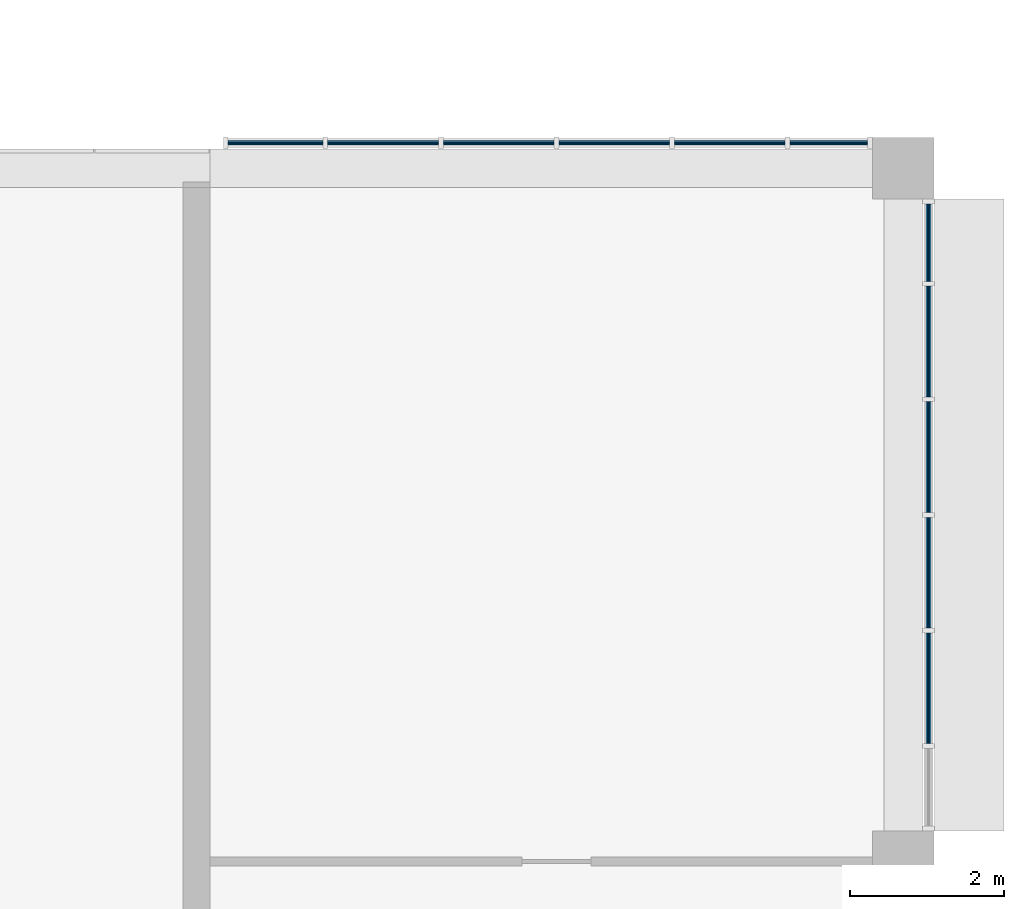
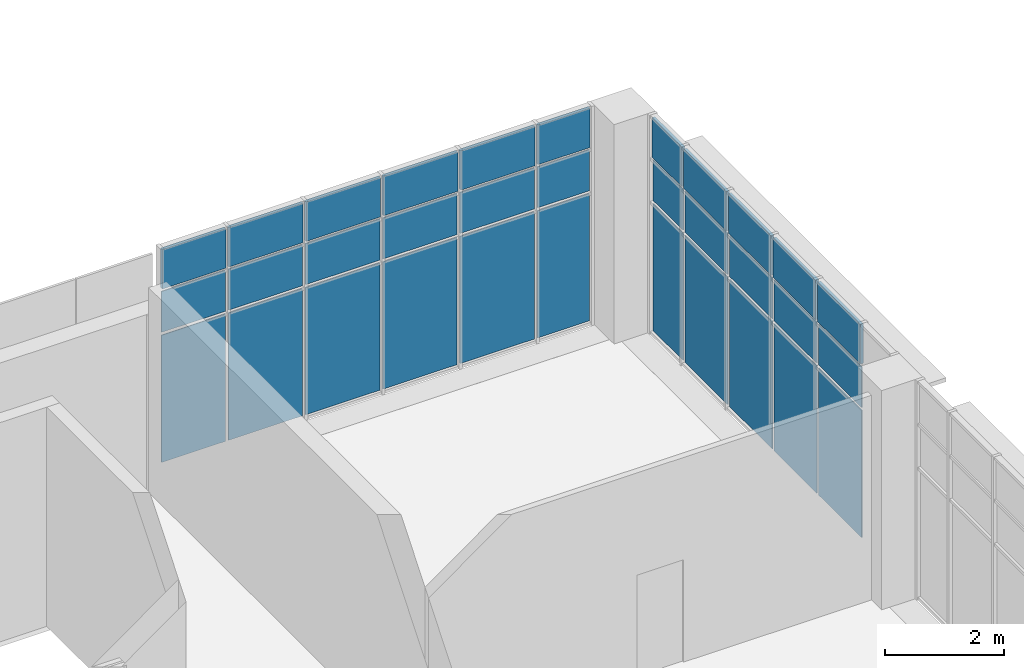
# One storey, part 29 of 43: 33 plates, 2 elements without a shape of their own.
"""IFC4 building model written with IfcOpenShell, lengths in metres."""

from ifc_helpers import new_model, si_unit, direction, frame, origin, origin_2d, place, context, subcontext, project, spatial, rectangle, extrude, material, layer, layer_set, type_object, element, aggregate, save


model = new_model("IFC4")

# Units and contexts
model_context = context("Model", 3, precision=1e-05, world=origin(), true_north=direction((0.0, 1.0)))
body_context = subcontext(model_context, "Body", "Model", "MODEL_VIEW")
ifc_project = project(units=[si_unit("LENGTHUNIT", "METRE"), si_unit("AREAUNIT", "SQUARE_METRE"), si_unit("VOLUMEUNIT", "CUBIC_METRE"), si_unit("PLANEANGLEUNIT", "RADIAN"), si_unit("MASSUNIT", "GRAM", prefix="KILO")], contexts=[model_context])

# Site, building, storey
site_placement = place(None, origin())
site = spatial("IfcSite", under=ifc_project, at=site_placement, CompositionType="ELEMENT")
building_placement = place(site_placement, origin())
building = spatial("IfcBuilding", under=site, at=building_placement, Name="Guidao Yard Department Store", CompositionType="ELEMENT")
storey_placement = place(building_placement, frame((0.0, 0.0, 28.5)))
storey = spatial("IfcBuildingStorey", under=building, at=storey_placement, Name="L06", CompositionType="ELEMENT", Elevation=28.5)

# Curtain wall, plates
ifc_material_1 = material(Name="Aluminium and glass", Category="aluminium")
ifc_layer_1 = layer(ifc_material_1, 0.159912109375)
ifc_layer_set_1 = layer_set([ifc_layer_1], Name="Unitised curtain wall CW4 1500 module")
curtain_wall_type = type_object("IfcCurtainWallType", Name="Unitised curtain wall CW4 1500 module", PredefinedType="NOTDEFINED", material=ifc_layer_set_1)
curtain_wall_1_placement = place(storey_placement, origin())
curtain_wall_1 = element("IfcCurtainWall", 1, at=curtain_wall_1_placement, inside=storey, type_object=curtain_wall_type, Name="Unitised curtain wall", PredefinedType="NOTDEFINED")
ifc_material_2 = material(Name="Aluminium 6063-T5 faced insulated spandrel", Category="aluminium")
ifc_layer_2 = layer(ifc_material_2, 0.06005859375)
ifc_layer_set_2 = layer_set([ifc_layer_2], Name="Spandrel panel SP1 insulated opaque")
plate_type_1 = type_object("IfcPlateType", Name="Spandrel panel SP1 insulated opaque", PredefinedType="CURTAIN_PANEL", material=ifc_layer_set_2)
plate_1_placement = place(storey_placement, frame((162.8525390625, 27.330078125, 3.6298828125), z_axis=(0.0, 0.0, 1.0), x_axis=(1.0, 0.0, 0.0)))
plate_1 = element("IfcPlate", 2, at=plate_1_placement, type_object=plate_type_1, Name="CW-OW-L06-08 panel 1.3", PredefinedType="CURTAIN_PANEL", context=body_context, shape_type="SweptSolid", body=[
    extrude(rectangle(XDim=1.235107421875, YDim=0.06005859375, at=origin_2d()), origin(), (0.0, 0.0, 1.0), 0.81005859375),
])
plate_2_placement = place(storey_placement, frame((164.25, 27.330078125, 3.6298828125), z_axis=(0.0, 0.0, 1.0), x_axis=(1.0, 0.0, 0.0)))
plate_2 = element("IfcPlate", 3, at=plate_2_placement, type_object=plate_type_1, Name="CW-OW-L06-08 panel 2.3", PredefinedType="CURTAIN_PANEL", context=body_context, shape_type="SweptSolid", body=[
    extrude(rectangle(XDim=1.43994140625, YDim=0.06005859375, at=origin_2d()), origin(), (0.0, 0.0, 1.0), 0.81005859375),
])
plate_3_placement = place(storey_placement, frame((165.75, 27.330078125, 3.6298828125), z_axis=(0.0, 0.0, 1.0), x_axis=(1.0, 0.0, 0.0)))
plate_3 = element("IfcPlate", 4, at=plate_3_placement, type_object=plate_type_1, Name="CW-OW-L06-08 panel 3.3", PredefinedType="CURTAIN_PANEL", context=body_context, shape_type="SweptSolid", body=[
    extrude(rectangle(XDim=1.43994140625, YDim=0.06005859375, at=origin_2d()), origin(), (0.0, 0.0, 1.0), 0.81005859375),
])
plate_4_placement = place(storey_placement, frame((167.25, 27.330078125, 3.6298828125), z_axis=(0.0, 0.0, 1.0), x_axis=(1.0, 0.0, 0.0)))
plate_4 = element("IfcPlate", 5, at=plate_4_placement, type_object=plate_type_1, Name="CW-OW-L06-08 panel 4.3", PredefinedType="CURTAIN_PANEL", context=body_context, shape_type="SweptSolid", body=[
    extrude(rectangle(XDim=1.43994140625, YDim=0.06005859375, at=origin_2d()), origin(), (0.0, 0.0, 1.0), 0.81005859375),
])
plate_5_placement = place(storey_placement, frame((168.75, 27.330078125, 3.6298828125), z_axis=(0.0, 0.0, 1.0), x_axis=(1.0, 0.0, 0.0)))
plate_5 = element("IfcPlate", 6, at=plate_5_placement, type_object=plate_type_1, Name="CW-OW-L06-08 panel 5.3", PredefinedType="CURTAIN_PANEL", context=body_context, shape_type="SweptSolid", body=[
    extrude(rectangle(XDim=1.43994140625, YDim=0.06005859375, at=origin_2d()), origin(), (0.0, 0.0, 1.0), 0.81005859375),
])
plate_6_placement = place(storey_placement, frame((170.034912109375, 27.330078125, 3.6298828125), z_axis=(0.0, 0.0, 1.0), x_axis=(1.0, 0.0, 0.0)))
plate_6 = element("IfcPlate", 7, at=plate_6_placement, type_object=plate_type_1, Name="CW-OW-L06-08 panel 6.3", PredefinedType="CURTAIN_PANEL", context=body_context, shape_type="SweptSolid", body=[
    extrude(rectangle(XDim=1.010009765625, YDim=0.06005859375, at=origin_2d()), origin(), (0.0, 0.0, 1.0), 0.81005859375),
])

curtain_wall_2_placement = place(storey_placement, origin())
curtain_wall_2 = element("IfcCurtainWall", 8, at=curtain_wall_2_placement, inside=storey, type_object=curtain_wall_type, Name="Unitised curtain wall", PredefinedType="NOTDEFINED")
plate_7_placement = place(storey_placement, frame((171.330078125, 20.25, 3.6298828125), z_axis=(0.0, 0.0, 1.0), x_axis=(0.0, -1.0, 0.0)))
plate_7 = element("IfcPlate", 9, at=plate_7_placement, type_object=plate_type_1, Name="CW-OW-L06-11 panel 2.3", PredefinedType="CURTAIN_PANEL", context=body_context, shape_type="SweptSolid", body=[
    extrude(rectangle(XDim=1.43994140625, YDim=0.06005859375, at=origin_2d()), origin(), (0.0, 0.0, 1.0), 0.81005859375),
])
plate_8_placement = place(storey_placement, frame((171.330078125, 21.75, 3.6298828125), z_axis=(0.0, 0.0, 1.0), x_axis=(0.0, -1.0, 0.0)))
plate_8 = element("IfcPlate", 10, at=plate_8_placement, type_object=plate_type_1, Name="CW-OW-L06-11 panel 3.3", PredefinedType="CURTAIN_PANEL", context=body_context, shape_type="SweptSolid", body=[
    extrude(rectangle(XDim=1.43994140625, YDim=0.06005859375, at=origin_2d()), origin(), (0.0, 0.0, 1.0), 0.81005859375),
])
plate_9_placement = place(storey_placement, frame((171.330078125, 23.25, 3.6298828125), z_axis=(0.0, 0.0, 1.0), x_axis=(0.0, -1.0, 0.0)))
plate_9 = element("IfcPlate", 11, at=plate_9_placement, type_object=plate_type_1, Name="CW-OW-L06-11 panel 4.3", PredefinedType="CURTAIN_PANEL", context=body_context, shape_type="SweptSolid", body=[
    extrude(rectangle(XDim=1.43994140625, YDim=0.06005859375, at=origin_2d()), origin(), (0.0, 0.0, 1.0), 0.81005859375),
])
plate_10_placement = place(storey_placement, frame((171.330078125, 24.75, 3.6298828125), z_axis=(0.0, 0.0, 1.0), x_axis=(0.0, -1.0, 0.0)))
plate_10 = element("IfcPlate", 12, at=plate_10_placement, type_object=plate_type_1, Name="CW-OW-L06-11 panel 5.3", PredefinedType="CURTAIN_PANEL", context=body_context, shape_type="SweptSolid", body=[
    extrude(rectangle(XDim=1.43994140625, YDim=0.06005859375, at=origin_2d()), origin(), (0.0, 0.0, 1.0), 0.81005859375),
])
plate_11_placement = place(storey_placement, frame((171.330078125, 26.034912109375, 3.6298828125), z_axis=(0.0, 0.0, 1.0), x_axis=(0.0, -1.0, 0.0)))
plate_11 = element("IfcPlate", 13, at=plate_11_placement, type_object=plate_type_1, Name="CW-OW-L06-11 panel 6.3", PredefinedType="CURTAIN_PANEL", context=body_context, shape_type="SweptSolid", body=[
    extrude(rectangle(XDim=1.010009765625, YDim=0.06005859375, at=origin_2d()), origin(), (0.0, 0.0, 1.0), 0.81005859375),
])

# Plate
ifc_material_3 = material(Name="Laminated heat-soaked tempered glass", Category="glass")
ifc_layer_3 = layer(ifc_material_3, 0.017578125)
ifc_layer_set_3 = layer_set([ifc_layer_3], Name="Vision glass VG1 laminated heat-soaked tempered 8+8")
plate_type_2 = type_object("IfcPlateType", Name="Vision glass VG1 laminated heat-soaked tempered 8+8", PredefinedType="CURTAIN_PANEL", material=ifc_layer_set_3)
plate_12_placement = place(storey_placement, frame((162.8525390625, 27.330078125, 0.06005859375), z_axis=(0.0, 0.0, 1.0), x_axis=(1.0, 0.0, 0.0)))
plate_12 = element("IfcPlate", 14, at=plate_12_placement, type_object=plate_type_2, Name="CW-OW-L06-08 panel 1.1", PredefinedType="CURTAIN_PANEL", context=body_context, shape_type="SweptSolid", body=[
    extrude(rectangle(XDim=1.235107421875, YDim=0.017578125, at=origin_2d()), origin(), (0.0, 0.0, 1.0), 2.610107421875),
])

plate_13_placement = place(storey_placement, frame((162.8525390625, 27.330078125, 2.72998046875), z_axis=(0.0, 0.0, 1.0), x_axis=(1.0, 0.0, 0.0)))
plate_13 = element("IfcPlate", 15, at=plate_13_placement, type_object=plate_type_2, Name="CW-OW-L06-08 panel 1.2", PredefinedType="CURTAIN_PANEL", context=body_context, shape_type="SweptSolid", body=[
    extrude(rectangle(XDim=1.235107421875, YDim=0.017578125, at=origin_2d()), origin(), (0.0, 0.0, 1.0), 0.840087890625),
])

plate_14_placement = place(storey_placement, frame((164.25, 27.330078125, 0.06005859375), z_axis=(0.0, 0.0, 1.0), x_axis=(1.0, 0.0, 0.0)))
plate_14 = element("IfcPlate", 16, at=plate_14_placement, type_object=plate_type_2, Name="CW-OW-L06-08 panel 2.1", PredefinedType="CURTAIN_PANEL", context=body_context, shape_type="SweptSolid", body=[
    extrude(rectangle(XDim=1.43994140625, YDim=0.017578125, at=origin_2d()), origin(), (0.0, 0.0, 1.0), 2.610107421875),
])

plate_15_placement = place(storey_placement, frame((164.25, 27.330078125, 2.72998046875), z_axis=(0.0, 0.0, 1.0), x_axis=(1.0, 0.0, 0.0)))
plate_15 = element("IfcPlate", 17, at=plate_15_placement, type_object=plate_type_2, Name="CW-OW-L06-08 panel 2.2", PredefinedType="CURTAIN_PANEL", context=body_context, shape_type="SweptSolid", body=[
    extrude(rectangle(XDim=1.43994140625, YDim=0.017578125, at=origin_2d()), origin(), (0.0, 0.0, 1.0), 0.840087890625),
])

plate_16_placement = place(storey_placement, frame((165.75, 27.330078125, 0.06005859375), z_axis=(0.0, 0.0, 1.0), x_axis=(1.0, 0.0, 0.0)))
plate_16 = element("IfcPlate", 18, at=plate_16_placement, type_object=plate_type_2, Name="CW-OW-L06-08 panel 3.1", PredefinedType="CURTAIN_PANEL", context=body_context, shape_type="SweptSolid", body=[
    extrude(rectangle(XDim=1.43994140625, YDim=0.017578125, at=origin_2d()), origin(), (0.0, 0.0, 1.0), 2.610107421875),
])

plate_17_placement = place(storey_placement, frame((165.75, 27.330078125, 2.72998046875), z_axis=(0.0, 0.0, 1.0), x_axis=(1.0, 0.0, 0.0)))
plate_17 = element("IfcPlate", 19, at=plate_17_placement, type_object=plate_type_2, Name="CW-OW-L06-08 panel 3.2", PredefinedType="CURTAIN_PANEL", context=body_context, shape_type="SweptSolid", body=[
    extrude(rectangle(XDim=1.43994140625, YDim=0.017578125, at=origin_2d()), origin(), (0.0, 0.0, 1.0), 0.840087890625),
])

plate_18_placement = place(storey_placement, frame((167.25, 27.330078125, 0.06005859375), z_axis=(0.0, 0.0, 1.0), x_axis=(1.0, 0.0, 0.0)))
plate_18 = element("IfcPlate", 20, at=plate_18_placement, type_object=plate_type_2, Name="CW-OW-L06-08 panel 4.1", PredefinedType="CURTAIN_PANEL", context=body_context, shape_type="SweptSolid", body=[
    extrude(rectangle(XDim=1.43994140625, YDim=0.017578125, at=origin_2d()), origin(), (0.0, 0.0, 1.0), 2.610107421875),
])

plate_19_placement = place(storey_placement, frame((167.25, 27.330078125, 2.72998046875), z_axis=(0.0, 0.0, 1.0), x_axis=(1.0, 0.0, 0.0)))
plate_19 = element("IfcPlate", 21, at=plate_19_placement, type_object=plate_type_2, Name="CW-OW-L06-08 panel 4.2", PredefinedType="CURTAIN_PANEL", context=body_context, shape_type="SweptSolid", body=[
    extrude(rectangle(XDim=1.43994140625, YDim=0.017578125, at=origin_2d()), origin(), (0.0, 0.0, 1.0), 0.840087890625),
])

plate_20_placement = place(storey_placement, frame((168.75, 27.330078125, 0.06005859375), z_axis=(0.0, 0.0, 1.0), x_axis=(1.0, 0.0, 0.0)))
plate_20 = element("IfcPlate", 22, at=plate_20_placement, type_object=plate_type_2, Name="CW-OW-L06-08 panel 5.1", PredefinedType="CURTAIN_PANEL", context=body_context, shape_type="SweptSolid", body=[
    extrude(rectangle(XDim=1.43994140625, YDim=0.017578125, at=origin_2d()), origin(), (0.0, 0.0, 1.0), 2.610107421875),
])

plate_21_placement = place(storey_placement, frame((168.75, 27.330078125, 2.72998046875), z_axis=(0.0, 0.0, 1.0), x_axis=(1.0, 0.0, 0.0)))
plate_21 = element("IfcPlate", 23, at=plate_21_placement, type_object=plate_type_2, Name="CW-OW-L06-08 panel 5.2", PredefinedType="CURTAIN_PANEL", context=body_context, shape_type="SweptSolid", body=[
    extrude(rectangle(XDim=1.43994140625, YDim=0.017578125, at=origin_2d()), origin(), (0.0, 0.0, 1.0), 0.840087890625),
])

plate_22_placement = place(storey_placement, frame((170.034912109375, 27.330078125, 0.06005859375), z_axis=(0.0, 0.0, 1.0), x_axis=(1.0, 0.0, 0.0)))
plate_22 = element("IfcPlate", 24, at=plate_22_placement, type_object=plate_type_2, Name="CW-OW-L06-08 panel 6.1", PredefinedType="CURTAIN_PANEL", context=body_context, shape_type="SweptSolid", body=[
    extrude(rectangle(XDim=1.010009765625, YDim=0.017578125, at=origin_2d()), origin(), (0.0, 0.0, 1.0), 2.610107421875),
])

plate_23_placement = place(storey_placement, frame((170.034912109375, 27.330078125, 2.72998046875), z_axis=(0.0, 0.0, 1.0), x_axis=(1.0, 0.0, 0.0)))
plate_23 = element("IfcPlate", 25, at=plate_23_placement, type_object=plate_type_2, Name="CW-OW-L06-08 panel 6.2", PredefinedType="CURTAIN_PANEL", context=body_context, shape_type="SweptSolid", body=[
    extrude(rectangle(XDim=1.010009765625, YDim=0.017578125, at=origin_2d()), origin(), (0.0, 0.0, 1.0), 0.840087890625),
])

aggregate(curtain_wall_1, [plate_12, plate_13, plate_1, plate_14, plate_15, plate_2, plate_16, plate_17, plate_3, plate_18, plate_19, plate_4, plate_20, plate_21, plate_5, plate_22, plate_23, plate_6])

plate_24_placement = place(storey_placement, frame((171.330078125, 20.25, 0.06005859375), z_axis=(0.0, 0.0, 1.0), x_axis=(0.0, -1.0, 0.0)))
plate_24 = element("IfcPlate", 26, at=plate_24_placement, type_object=plate_type_2, Name="CW-OW-L06-11 panel 2.1", PredefinedType="CURTAIN_PANEL", context=body_context, shape_type="SweptSolid", body=[
    extrude(rectangle(XDim=1.43994140625, YDim=0.017578125, at=origin_2d()), origin(), (0.0, 0.0, 1.0), 2.610107421875),
])

plate_25_placement = place(storey_placement, frame((171.330078125, 20.25, 2.72998046875), z_axis=(0.0, 0.0, 1.0), x_axis=(0.0, -1.0, 0.0)))
plate_25 = element("IfcPlate", 27, at=plate_25_placement, type_object=plate_type_2, Name="CW-OW-L06-11 panel 2.2", PredefinedType="CURTAIN_PANEL", context=body_context, shape_type="SweptSolid", body=[
    extrude(rectangle(XDim=1.43994140625, YDim=0.017578125, at=origin_2d()), origin(), (0.0, 0.0, 1.0), 0.840087890625),
])

plate_26_placement = place(storey_placement, frame((171.330078125, 21.75, 0.06005859375), z_axis=(0.0, 0.0, 1.0), x_axis=(0.0, -1.0, 0.0)))
plate_26 = element("IfcPlate", 28, at=plate_26_placement, type_object=plate_type_2, Name="CW-OW-L06-11 panel 3.1", PredefinedType="CURTAIN_PANEL", context=body_context, shape_type="SweptSolid", body=[
    extrude(rectangle(XDim=1.43994140625, YDim=0.017578125, at=origin_2d()), origin(), (0.0, 0.0, 1.0), 2.610107421875),
])

plate_27_placement = place(storey_placement, frame((171.330078125, 21.75, 2.72998046875), z_axis=(0.0, 0.0, 1.0), x_axis=(0.0, -1.0, 0.0)))
plate_27 = element("IfcPlate", 29, at=plate_27_placement, type_object=plate_type_2, Name="CW-OW-L06-11 panel 3.2", PredefinedType="CURTAIN_PANEL", context=body_context, shape_type="SweptSolid", body=[
    extrude(rectangle(XDim=1.43994140625, YDim=0.017578125, at=origin_2d()), origin(), (0.0, 0.0, 1.0), 0.840087890625),
])

plate_28_placement = place(storey_placement, frame((171.330078125, 23.25, 0.06005859375), z_axis=(0.0, 0.0, 1.0), x_axis=(0.0, -1.0, 0.0)))
plate_28 = element("IfcPlate", 30, at=plate_28_placement, type_object=plate_type_2, Name="CW-OW-L06-11 panel 4.1", PredefinedType="CURTAIN_PANEL", context=body_context, shape_type="SweptSolid", body=[
    extrude(rectangle(XDim=1.43994140625, YDim=0.017578125, at=origin_2d()), origin(), (0.0, 0.0, 1.0), 2.610107421875),
])

plate_29_placement = place(storey_placement, frame((171.330078125, 23.25, 2.72998046875), z_axis=(0.0, 0.0, 1.0), x_axis=(0.0, -1.0, 0.0)))
plate_29 = element("IfcPlate", 31, at=plate_29_placement, type_object=plate_type_2, Name="CW-OW-L06-11 panel 4.2", PredefinedType="CURTAIN_PANEL", context=body_context, shape_type="SweptSolid", body=[
    extrude(rectangle(XDim=1.43994140625, YDim=0.017578125, at=origin_2d()), origin(), (0.0, 0.0, 1.0), 0.840087890625),
])

plate_30_placement = place(storey_placement, frame((171.330078125, 24.75, 0.06005859375), z_axis=(0.0, 0.0, 1.0), x_axis=(0.0, -1.0, 0.0)))
plate_30 = element("IfcPlate", 32, at=plate_30_placement, type_object=plate_type_2, Name="CW-OW-L06-11 panel 5.1", PredefinedType="CURTAIN_PANEL", context=body_context, shape_type="SweptSolid", body=[
    extrude(rectangle(XDim=1.43994140625, YDim=0.017578125, at=origin_2d()), origin(), (0.0, 0.0, 1.0), 2.610107421875),
])

plate_31_placement = place(storey_placement, frame((171.330078125, 24.75, 2.72998046875), z_axis=(0.0, 0.0, 1.0), x_axis=(0.0, -1.0, 0.0)))
plate_31 = element("IfcPlate", 33, at=plate_31_placement, type_object=plate_type_2, Name="CW-OW-L06-11 panel 5.2", PredefinedType="CURTAIN_PANEL", context=body_context, shape_type="SweptSolid", body=[
    extrude(rectangle(XDim=1.43994140625, YDim=0.017578125, at=origin_2d()), origin(), (0.0, 0.0, 1.0), 0.840087890625),
])

plate_32_placement = place(storey_placement, frame((171.330078125, 26.034912109375, 0.06005859375), z_axis=(0.0, 0.0, 1.0), x_axis=(0.0, -1.0, 0.0)))
plate_32 = element("IfcPlate", 34, at=plate_32_placement, type_object=plate_type_2, Name="CW-OW-L06-11 panel 6.1", PredefinedType="CURTAIN_PANEL", context=body_context, shape_type="SweptSolid", body=[
    extrude(rectangle(XDim=1.010009765625, YDim=0.017578125, at=origin_2d()), origin(), (0.0, 0.0, 1.0), 2.610107421875),
])

plate_33_placement = place(storey_placement, frame((171.330078125, 26.034912109375, 2.72998046875), z_axis=(0.0, 0.0, 1.0), x_axis=(0.0, -1.0, 0.0)))
plate_33 = element("IfcPlate", 35, at=plate_33_placement, type_object=plate_type_2, Name="CW-OW-L06-11 panel 6.2", PredefinedType="CURTAIN_PANEL", context=body_context, shape_type="SweptSolid", body=[
    extrude(rectangle(XDim=1.010009765625, YDim=0.017578125, at=origin_2d()), origin(), (0.0, 0.0, 1.0), 0.840087890625),
])

aggregate(curtain_wall_2, [plate_24, plate_25, plate_7, plate_26, plate_27, plate_8, plate_28, plate_29, plate_9, plate_30, plate_31, plate_10, plate_32, plate_33, plate_11])

save(model, "model.ifc")
